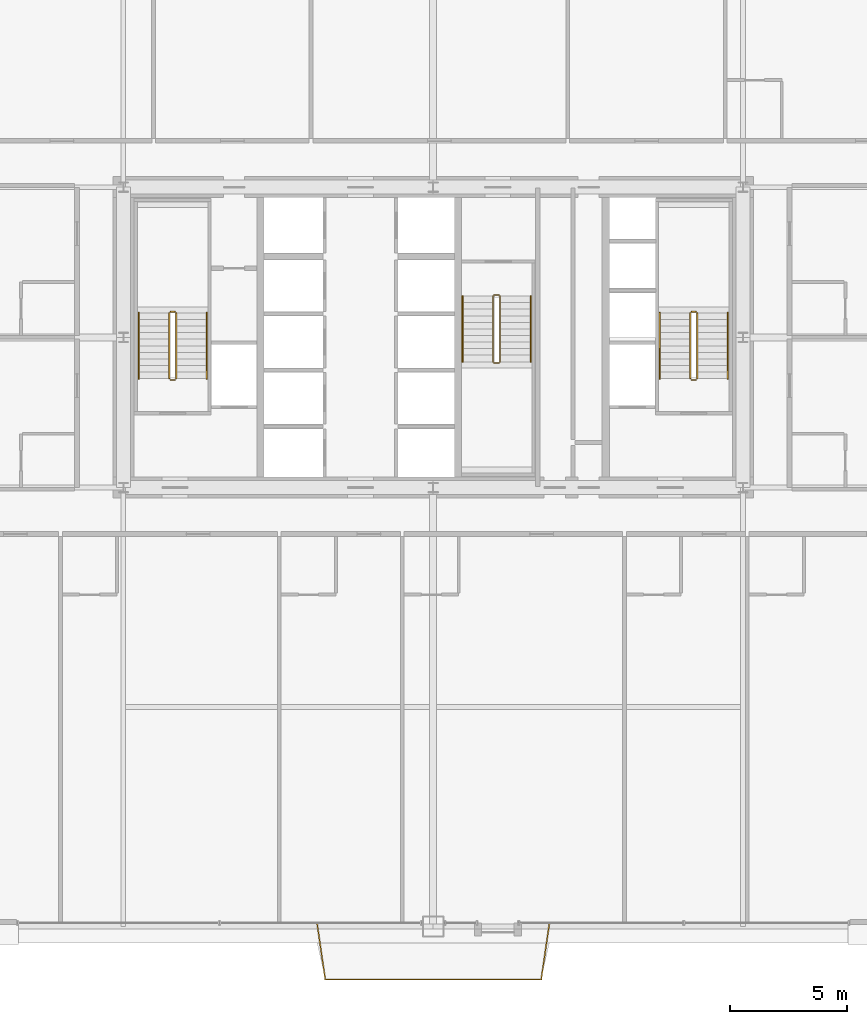
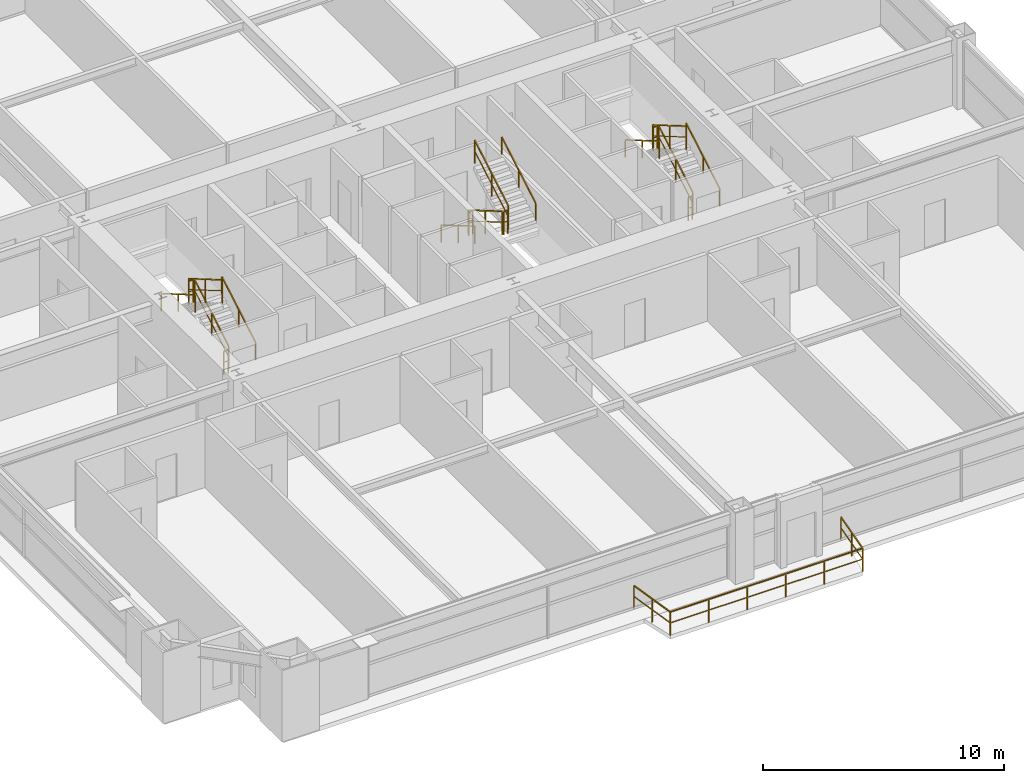
# One storey, part 43 of 43: 19 railings.
"""IFC4 building model written with IfcOpenShell, lengths in metres."""

from ifc_helpers import new_model, si_unit, direction, frame, origin, origin_2d, place, context, subcontext, project, spatial, rectangle, extrude, source, transform, mapped, material, layer, layer_set, type_object, element, save


model = new_model("IFC4")

# Units and contexts
model_context = context("Model", 3, precision=1e-05, world=origin(), true_north=direction((0.0, 1.0)))
body_context = subcontext(model_context, "Body", "Model", "MODEL_VIEW")
ifc_project = project(units=[si_unit("LENGTHUNIT", "METRE"), si_unit("AREAUNIT", "SQUARE_METRE"), si_unit("VOLUMEUNIT", "CUBIC_METRE"), si_unit("PLANEANGLEUNIT", "RADIAN"), si_unit("MASSUNIT", "GRAM", prefix="KILO"), si_unit("THERMODYNAMICTEMPERATUREUNIT", "KELVIN"), si_unit("POWERUNIT", "WATT")], contexts=[model_context])

# Site, building, storey
site_placement = place(None, origin())
site = spatial("IfcSite", under=ifc_project, at=site_placement, CompositionType="ELEMENT")
building_placement = place(site_placement, origin())
building = spatial("IfcBuilding", under=site, at=building_placement, Name="Yuzanri Waterfront Tower", CompositionType="ELEMENT")
storey_placement = place(building_placement, frame((0.0, 0.0, 64.0)))
storey = spatial("IfcBuildingStorey", under=building, at=storey_placement, Name="L16", CompositionType="ELEMENT", Elevation=64.0)

# Railings
ifc_material_1 = material(Name="Anodized Architectural Bronze", Category="metal")
ifc_layer_1 = layer(ifc_material_1, 0.080078125)
ifc_layer_set_1 = layer_set([ifc_layer_1], Name="Anodized Architectural Bronze")
railing_type_1 = type_object("IfcRailingType", Name="Laminated Glass and Bronze Balcony Guardrail 1200", PredefinedType="BALUSTRADE", material=ifc_layer_set_1)
shared_shape_1 = source(origin(), body_context, "Body", "SweptSolid", [
    extrude(rectangle(XDim=0.050048828125, YDim=0.050048828125, at=origin_2d()), frame((0.0, 0.0, 1.1748046875), z_axis=(0.144009629175, -0.98957628645, 0.0), x_axis=(0.98957628645, 0.144009629175, 0.0)), (0.0, 0.0, 1.0), 2.429443359375),
    extrude(rectangle(XDim=0.035888671875, YDim=0.030029296875, at=origin_2d()), frame((0.0, 0.0, 0.6240234375), z_axis=(0.144009629175, -0.98957628645, 0.0), x_axis=(0.98957628645, 0.144009629175, 0.0)), (0.0, 0.0, 1.0), 2.429443359375),
    extrude(rectangle(XDim=0.050048828125, YDim=0.050048828125, at=origin_2d()), frame((0.349853515625, -2.404052734375, 1.1748046875), z_axis=(1.0, 0.0, 0.0), x_axis=(0.0, 1.0, 0.0)), (0.0, 0.0, 1.0), 9.2021484375),
    extrude(rectangle(XDim=0.035888671875, YDim=0.030029296875, at=origin_2d()), frame((0.349853515625, -2.404052734375, 0.6240234375), z_axis=(1.0, 0.0, 0.0), x_axis=(0.0, 1.0, 0.0)), (0.0, 0.0, 1.0), 9.2021484375),
    extrude(rectangle(XDim=0.050048828125, YDim=0.050048828125, at=origin_2d()), frame((9.552001953125, -2.404052734375, 1.1748046875), z_axis=(0.144009629175, 0.98957628645, 0.0), x_axis=(-0.98957628645, 0.144009629175, 0.0)), (0.0, 0.0, 1.0), 2.429443359375),
    extrude(rectangle(XDim=0.035888671875, YDim=0.030029296875, at=origin_2d()), frame((9.552001953125, -2.404052734375, 0.6240234375), z_axis=(0.144009629175, 0.98957628645, 0.0), x_axis=(-0.98957628645, 0.144009629175, 0.0)), (0.0, 0.0, 1.0), 2.429443359375),
    extrude(rectangle(XDim=0.0458984375, YDim=0.0458984375, at=origin_2d()), origin(), (0.0, 0.0, 1.0), 1.14990234375),
    extrude(rectangle(XDim=0.0458984375, YDim=0.0458984375, at=origin_2d()), frame((0.1748046875, -1.2021484375, 0.0)), (0.0, 0.0, 1.0), 1.14990234375),
    extrude(rectangle(XDim=0.0458984375, YDim=0.0458984375, at=origin_2d()), frame((0.349853515625, -2.404052734375, 0.0)), (0.0, 0.0, 1.0), 1.14990234375),
    extrude(rectangle(XDim=0.0458984375, YDim=0.0458984375, at=origin_2d()), frame((2.190185546875, -2.404052734375, 0.0)), (0.0, 0.0, 1.0), 1.14990234375),
    extrude(rectangle(XDim=0.0458984375, YDim=0.0458984375, at=origin_2d()), frame((4.03076171875, -2.404052734375, 0.0)), (0.0, 0.0, 1.0), 1.14990234375),
    extrude(rectangle(XDim=0.0458984375, YDim=0.0458984375, at=origin_2d()), frame((5.87109375, -2.404052734375, 0.0)), (0.0, 0.0, 1.0), 1.14990234375),
    extrude(rectangle(XDim=0.0458984375, YDim=0.0458984375, at=origin_2d()), frame((7.711669921875, -2.404052734375, 0.0)), (0.0, 0.0, 1.0), 1.14990234375),
    extrude(rectangle(XDim=0.0458984375, YDim=0.0458984375, at=origin_2d()), frame((9.552001953125, -2.404052734375, 0.0)), (0.0, 0.0, 1.0), 1.14990234375),
    extrude(rectangle(XDim=0.0458984375, YDim=0.0458984375, at=origin_2d()), frame((9.72705078125, -1.2021484375, 0.0)), (0.0, 0.0, 1.0), 1.14990234375),
    extrude(rectangle(XDim=0.0458984375, YDim=0.0458984375, at=origin_2d()), frame((9.90185546875, 0.0, 0.0)), (0.0, 0.0, 1.0), 1.14990234375),
])
railing_placement = place(storey_placement, frame((32.049072265625, 0.85009765625, 0.0)))
element("IfcRailing", 1, at=railing_placement, inside=storey, type_object=railing_type_1, Name="L16 S Engawa Terrace Guardrail", PredefinedType="BALUSTRADE", context=body_context, shape_type="MappedRepresentation", body=[
    mapped(shared_shape_1, transform((0.0, 0.0, 0.0), scale=1.0)),
])
ifc_material_2 = material(Name="Painted Galvanized Fire Steel", Category="steel")
ifc_layer_2 = layer(ifc_material_2, 0.06005859375)
ifc_layer_set_2 = layer_set([ifc_layer_2], Name="Painted Galvanized Fire Steel")
railing_type_2 = type_object("IfcRailingType", Name="Painted Steel Stairwell Guardrail 1120", PredefinedType="GUARDRAIL", material=ifc_layer_set_2)
shared_shape_2 = source(origin(), body_context, "Body", "SweptSolid", [
    extrude(rectangle(XDim=0.050048828125, YDim=0.050048828125, at=origin_2d()), frame((0.0, 0.0, 1.1748046875), z_axis=(-1.0, 0.0, 0.0), x_axis=(0.0, -1.0, 0.0)), (0.0, 0.0, 1.0), 0.199951171875),
    extrude(rectangle(XDim=0.035888671875, YDim=0.030029296875, at=origin_2d()), frame((0.0, 0.0, 0.6240234375), z_axis=(-1.0, 0.0, 0.0), x_axis=(0.0, -1.0, 0.0)), (0.0, 0.0, 1.0), 0.199951171875),
    extrude(rectangle(XDim=0.0458984375, YDim=0.0458984375, at=origin_2d()), origin(), (0.0, 0.0, 1.0), 1.14990234375),
    extrude(rectangle(XDim=0.0458984375, YDim=0.0458984375, at=origin_2d()), frame((-0.199951171875, 0.0, 0.0)), (0.0, 0.0, 1.0), 1.14990234375),
])
for number, where, name in (
    (2, (26.0, 26.889892578125, 1.800048828125), "L16 ST-01 stair guard 2"),
    (3, (26.0, 23.989990234375, 0.0), "L16 ST-01 stair guard 4"),
    (4, (48.199951171875, 26.889892578125, 1.800048828125), "L16 ST-02 stair guard 2"),
    (5, (48.199951171875, 23.989990234375, 0.0), "L16 ST-02 stair guard 4"),
):
    element("IfcRailing", number, at=place(storey_placement, frame(where)), inside=storey, type_object=railing_type_2, Name=name, PredefinedType="GUARDRAIL", context=body_context, shape_type="MappedRepresentation", body=[
        mapped(shared_shape_2, transform((0.0, 0.0, 0.0), scale=1.0)),
    ])
shared_shape_3 = source(origin(), body_context, "Body", "SweptSolid", [
    extrude(rectangle(XDim=0.050048828125, YDim=0.050048828125, at=origin_2d()), frame((0.0, 0.0, 1.1748046875), z_axis=(0.0, 0.863360870873, 0.504586966384), x_axis=(-1.0, 0.0, 0.0)), (0.0, 0.0, 1.0), 3.2431640625),
    extrude(rectangle(XDim=0.035888671875, YDim=0.030029296875, at=origin_2d()), frame((0.0, 0.0, 0.6240234375), z_axis=(0.0, 0.863360870873, 0.504586966384), x_axis=(-1.0, 0.0, 0.0)), (0.0, 0.0, 1.0), 3.2431640625),
    extrude(rectangle(XDim=0.0458984375, YDim=0.0458984375, at=origin_2d()), origin(), (0.0, 0.0, 1.0), 1.14990234375),
    extrude(rectangle(XDim=0.0458984375, YDim=0.0458984375, at=origin_2d()), frame((0.0, 1.39990234375, 0.818359375)), (0.0, 0.0, 1.0), 1.14990234375),
    extrude(rectangle(XDim=0.0458984375, YDim=0.0458984375, at=origin_2d()), frame((0.0, 2.800048828125, 1.636474609375)), (0.0, 0.0, 1.0), 1.14990234375),
])
for number, where, name in (
    (6, (26.050048828125, 24.0400390625, 0.16357421875), "L16 ST-01 stair guard 1"),
    (7, (48.25, 24.0400390625, 0.16357421875), "L16 ST-02 stair guard 1"),
    (8, (39.85009765625, 24.760009765625, 1.963623046875), "L16 ST-03 stair guard 3"),
):
    element("IfcRailing", number, at=place(storey_placement, frame(where)), inside=storey, type_object=railing_type_2, Name=name, PredefinedType="GUARDRAIL", context=body_context, shape_type="MappedRepresentation", body=[
        mapped(shared_shape_3, transform((0.0, 0.0, 0.0), scale=1.0)),
    ])
shared_shape_4 = source(origin(), body_context, "Body", "SweptSolid", [
    extrude(rectangle(XDim=0.050048828125, YDim=0.050048828125, at=origin_2d()), frame((0.0, 0.0, 1.1748046875), z_axis=(0.0, -0.863360870873, 0.504586966384), x_axis=(1.0, 0.0, 0.0)), (0.0, 0.0, 1.0), 3.2431640625),
    extrude(rectangle(XDim=0.035888671875, YDim=0.030029296875, at=origin_2d()), frame((0.0, 0.0, 0.6240234375), z_axis=(0.0, -0.863360870873, 0.504586966384), x_axis=(1.0, 0.0, 0.0)), (0.0, 0.0, 1.0), 3.2431640625),
    extrude(rectangle(XDim=0.0458984375, YDim=0.0458984375, at=origin_2d()), origin(), (0.0, 0.0, 1.0), 1.14990234375),
    extrude(rectangle(XDim=0.0458984375, YDim=0.0458984375, at=origin_2d()), frame((0.0, -1.39990234375, 0.818359375)), (0.0, 0.0, 1.0), 1.14990234375),
    extrude(rectangle(XDim=0.0458984375, YDim=0.0458984375, at=origin_2d()), frame((0.0, -2.800048828125, 1.636474609375)), (0.0, 0.0, 1.0), 1.14990234375),
])
for number, where, name in (
    (9, (25.75, 26.840087890625, 1.963623046875), "L16 ST-01 stair guard 3"),
    (10, (47.949951171875, 26.840087890625, 1.963623046875), "L16 ST-02 stair guard 3"),
    (11, (39.550048828125, 27.56005859375, 0.16357421875), "L16 ST-03 stair guard 1"),
):
    element("IfcRailing", number, at=place(storey_placement, frame(where)), inside=storey, type_object=railing_type_2, Name=name, PredefinedType="GUARDRAIL", context=body_context, shape_type="MappedRepresentation", body=[
        mapped(shared_shape_4, transform((0.0, 0.0, 0.0), scale=1.0)),
    ])
ifc_material_3 = material(Name="Anodized Architectural Bronze", Category="metal")
ifc_layer_3 = layer(ifc_material_3, 0.050048828125)
ifc_layer_set_3 = layer_set([ifc_layer_3], Name="Anodized Architectural Bronze")
railing_type_3 = type_object("IfcRailingType", Name="Brushed Bronze Stair Pitch Handrail 920", PredefinedType="HANDRAIL", material=ifc_layer_set_3)
shared_shape_5 = source(origin(), body_context, "Body", "SweptSolid", [
    extrude(rectangle(XDim=0.050048828125, YDim=0.050048828125, at=origin_2d()), frame((0.0, 0.0, 0.875), z_axis=(0.0, 0.863360870873, 0.504586966384), x_axis=(-1.0, 0.0, 0.0)), (0.0, 0.0, 1.0), 3.2431640625),
    extrude(rectangle(XDim=0.0458984375, YDim=0.0458984375, at=origin_2d()), origin(), (0.0, 0.0, 1.0), 0.849853515625),
    extrude(rectangle(XDim=0.0458984375, YDim=0.0458984375, at=origin_2d()), frame((0.0, 1.39990234375, 0.818359375)), (0.0, 0.0, 1.0), 0.849853515625),
    extrude(rectangle(XDim=0.0458984375, YDim=0.0458984375, at=origin_2d()), frame((0.0, 2.800048828125, 1.636474609375)), (0.0, 0.0, 1.0), 0.849853515625),
])
for number, where, name in (
    (12, (27.35009765625, 24.0400390625, 0.16357421875), "L16 ST-01 stair handrail 1"),
    (13, (49.550048828125, 24.0400390625, 0.16357421875), "L16 ST-02 stair handrail 1"),
    (14, (41.14990234375, 24.760009765625, 1.963623046875), "L16 ST-03 stair handrail 2"),
):
    element("IfcRailing", number, at=place(storey_placement, frame(where)), inside=storey, type_object=railing_type_3, Name=name, PredefinedType="HANDRAIL", context=body_context, shape_type="MappedRepresentation", body=[
        mapped(shared_shape_5, transform((0.0, 0.0, 0.0), scale=1.0)),
    ])
shared_shape_6 = source(origin(), body_context, "Body", "SweptSolid", [
    extrude(rectangle(XDim=0.050048828125, YDim=0.050048828125, at=origin_2d()), frame((0.0, 0.0, 0.875), z_axis=(0.0, -0.863360870873, 0.504586966384), x_axis=(1.0, 0.0, 0.0)), (0.0, 0.0, 1.0), 3.2431640625),
    extrude(rectangle(XDim=0.0458984375, YDim=0.0458984375, at=origin_2d()), origin(), (0.0, 0.0, 1.0), 0.849853515625),
    extrude(rectangle(XDim=0.0458984375, YDim=0.0458984375, at=origin_2d()), frame((0.0, -1.39990234375, 0.818359375)), (0.0, 0.0, 1.0), 0.849853515625),
    extrude(rectangle(XDim=0.0458984375, YDim=0.0458984375, at=origin_2d()), frame((0.0, -2.800048828125, 1.636474609375)), (0.0, 0.0, 1.0), 0.849853515625),
])
for number, where, name in (
    (15, (24.449951171875, 26.840087890625, 1.963623046875), "L16 ST-01 stair handrail 2"),
    (16, (46.64990234375, 26.840087890625, 1.963623046875), "L16 ST-02 stair handrail 2"),
    (17, (38.25, 27.56005859375, 0.16357421875), "L16 ST-03 stair handrail 1"),
):
    element("IfcRailing", number, at=place(storey_placement, frame(where)), inside=storey, type_object=railing_type_3, Name=name, PredefinedType="HANDRAIL", context=body_context, shape_type="MappedRepresentation", body=[
        mapped(shared_shape_6, transform((0.0, 0.0, 0.0), scale=1.0)),
    ])
shared_shape_7 = source(origin(), body_context, "Body", "SweptSolid", [
    extrude(rectangle(XDim=0.050048828125, YDim=0.050048828125, at=origin_2d()), frame((0.0, 0.0, 1.1748046875), z_axis=(1.0, 0.0, 0.0), x_axis=(0.0, 1.0, 0.0)), (0.0, 0.0, 1.0), 0.199951171875),
    extrude(rectangle(XDim=0.035888671875, YDim=0.030029296875, at=origin_2d()), frame((0.0, 0.0, 0.6240234375), z_axis=(1.0, 0.0, 0.0), x_axis=(0.0, 1.0, 0.0)), (0.0, 0.0, 1.0), 0.199951171875),
    extrude(rectangle(XDim=0.0458984375, YDim=0.0458984375, at=origin_2d()), origin(), (0.0, 0.0, 1.0), 1.14990234375),
    extrude(rectangle(XDim=0.0458984375, YDim=0.0458984375, at=origin_2d()), frame((0.199951171875, 0.0, 0.0)), (0.0, 0.0, 1.0), 1.14990234375),
])
for number, where, name in (
    (18, (39.60009765625, 24.7099609375, 1.800048828125), "L16 ST-03 stair guard 2"),
    (19, (39.60009765625, 27.610107421875, 0.0), "L16 ST-03 stair guard 4"),
):
    element("IfcRailing", number, at=place(storey_placement, frame(where)), inside=storey, type_object=railing_type_2, Name=name, PredefinedType="GUARDRAIL", context=body_context, shape_type="MappedRepresentation", body=[
        mapped(shared_shape_7, transform((0.0, 0.0, 0.0), scale=1.0)),
    ])

save(model, "model.ifc")
